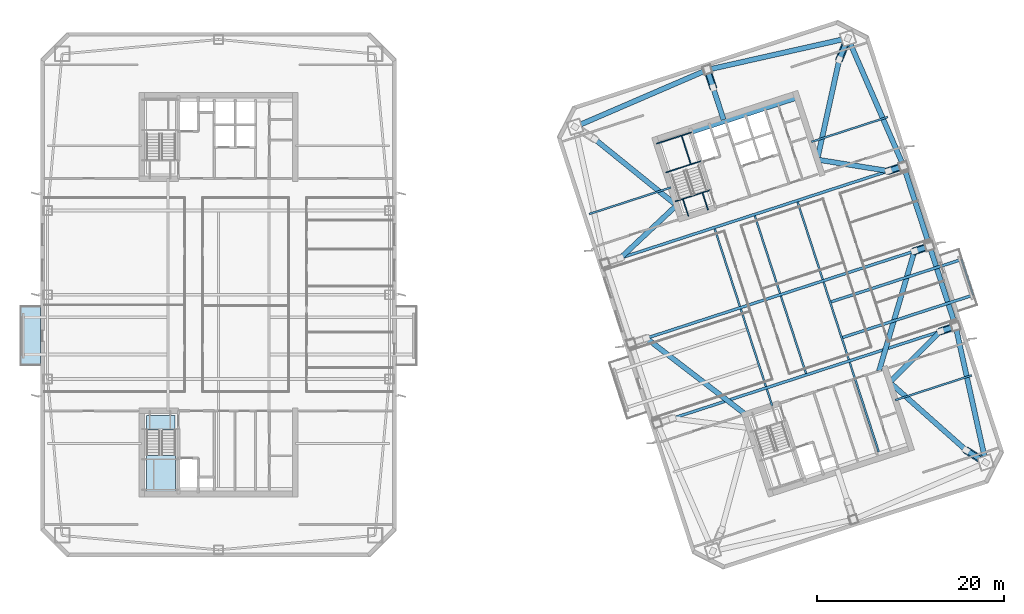
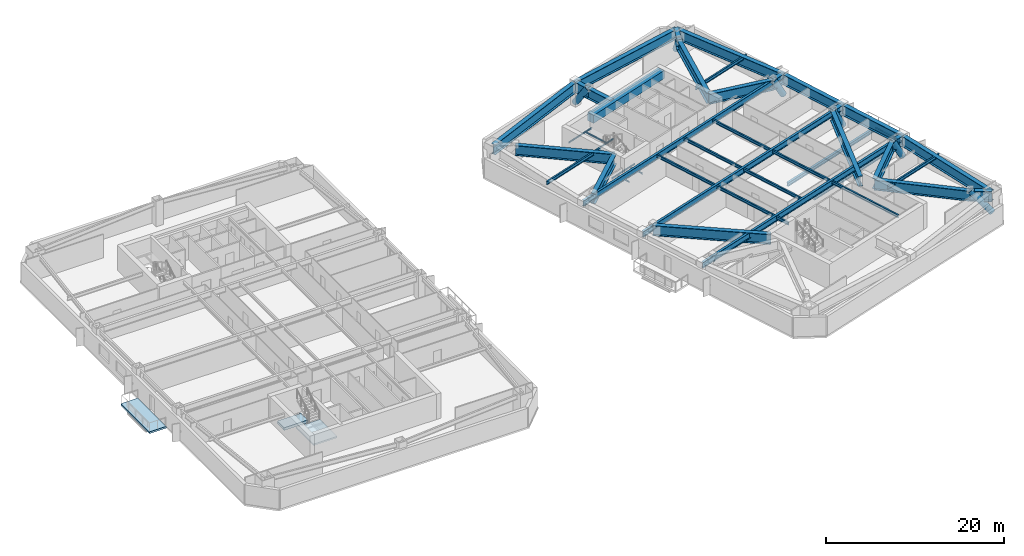
# One storey, part 3 of 17: 45 beams, 6 members, 3 slabs, 1 element without a shape of its own.
"""IFC4 building model written with IfcOpenShell, lengths in metres."""

from ifc_helpers import new_model, si_unit, direction, frame, origin, origin_2d, place, context, subcontext, project, spatial, polyline, rectangle, hollow_circle, i_section, outline, extrude, material, layer, layer_set, material_profile, profile_set, type_object, element, aggregate, save


model = new_model("IFC4")

# Units and contexts
model_context = context("Model", 3, precision=1e-05, world=origin(), true_north=direction((0.0, 1.0)))
body_context = subcontext(model_context, "Body", "Model", "MODEL_VIEW")
ifc_project = project(units=[si_unit("LENGTHUNIT", "METRE"), si_unit("AREAUNIT", "SQUARE_METRE"), si_unit("VOLUMEUNIT", "CUBIC_METRE"), si_unit("PLANEANGLEUNIT", "RADIAN"), si_unit("MASSUNIT", "GRAM", prefix="KILO")], contexts=[model_context])

# Site, building, storey
site_placement = place(None, origin())
site = spatial("IfcSite", under=ifc_project, at=site_placement, CompositionType="ELEMENT")
building_placement = place(site_placement, origin())
building = spatial("IfcBuilding", under=site, at=building_placement, Name="Qiaolan Cultural Towers", CompositionType="ELEMENT")
storey_placement = place(building_placement, frame((0.0, 0.0, 131.10009765625)))
storey = spatial("IfcBuildingStorey", under=building, at=storey_placement, Name="L34", CompositionType="ELEMENT", Elevation=131.10009765625)

# Beams
ifc_material_1 = material(Name="Steel Q420GJB", Category="steel")
ifc_material_profile_1 = material_profile(ifc_material_1, i_section(OverallWidth=0.550048828125, OverallDepth=1.39990234375, WebThickness=0.031982421875, FlangeThickness=0.050048828125, at=origin_2d()), Name="BH1400x550x32x50")
ifc_profile_set_1 = profile_set([ifc_material_profile_1], Name="Steel Q420GJB")
beam_type_1 = type_object("IfcBeamType", Name="BM-BH1400x550x32x50", PredefinedType="BEAM", material=ifc_profile_set_1)
beam_1_placement = place(storey_placement, frame((111.930908203125, 16.080078125, 2.52978515625), z_axis=(-0.848719449852, 0.528843356244, 0.0), x_axis=(-0.528843356244, -0.848719449852, 0.0)))
element("IfcBeam", 1, at=beam_1_placement, inside=storey, type_object=beam_type_1, Name="L34 T2 Setback Transfer Girder MC-SE-A", PredefinedType="BEAM", context=body_context, shape_type="SweptSolid", body=[
    extrude(i_section(OverallWidth=0.550048828125, OverallDepth=1.39990234375, WebThickness=0.031982421875, FlangeThickness=0.050048828125, at=origin_2d()), origin(), (0.0, 0.0, 1.0), 2.4697265625),
])
beam_2_placement = place(storey_placement, frame((109.834716796875, 17.38623046875, 2.52978515625), z_axis=(-0.747666786026, 0.664074074989, 0.0), x_axis=(-0.664074074989, -0.747666786026, 0.0)))
element("IfcBeam", 2, at=beam_2_placement, inside=storey, type_object=beam_type_1, Name="L34 T2 Setback Transfer Girder MC-SE-B", PredefinedType="BEAM", context=body_context, shape_type="SweptSolid", body=[
    extrude(i_section(OverallWidth=0.550048828125, OverallDepth=1.39990234375, WebThickness=0.031982421875, FlangeThickness=0.050048828125, at=origin_2d()), origin(), (0.0, 0.0, 1.0), 10.931884765625),
])
beam_3_placement = place(storey_placement, frame((97.20947265625, 61.388427734375, 2.52978515625), z_axis=(-0.375783111515, -0.926707641654, 0.0), x_axis=(0.926707641654, -0.375783111515, 0.0)))
element("IfcBeam", 3, at=beam_3_placement, inside=storey, type_object=beam_type_1, Name="L34 T2 Setback Transfer Girder MC-NE-A", PredefinedType="BEAM", context=body_context, shape_type="SweptSolid", body=[
    extrude(i_section(OverallWidth=0.550048828125, OverallDepth=1.39990234375, WebThickness=0.031982421875, FlangeThickness=0.050048828125, at=origin_2d()), origin(), (0.0, 0.0, 1.0), 2.47021484375),
])
beam_4_placement = place(storey_placement, frame((96.28125, 59.099365234375, 2.52978515625), z_axis=(-0.214532013847, -0.976716957483, 0.0), x_axis=(0.976716957483, -0.214532013847, 0.0)))
element("IfcBeam", 4, at=beam_4_placement, inside=storey, type_object=beam_type_1, Name="L34 T2 Setback Transfer Girder MC-NE-B", PredefinedType="BEAM", context=body_context, shape_type="SweptSolid", body=[
    extrude(i_section(OverallWidth=0.550048828125, OverallDepth=1.39990234375, WebThickness=0.031982421875, FlangeThickness=0.050048828125, at=origin_2d()), origin(), (0.0, 0.0, 1.0), 10.931884765625),
])
beam_5_placement = place(storey_placement, frame((70.165283203125, 50.61376953125, 2.52978515625), z_axis=(0.777436926746, -0.628960908906, 0.0), x_axis=(0.628960908906, 0.777436926746, 0.0)))
element("IfcBeam", 5, at=beam_5_placement, inside=storey, type_object=beam_type_1, Name="L34 T2 Setback Transfer Girder MC-NW-B", PredefinedType="BEAM", context=body_context, shape_type="SweptSolid", body=[
    extrude(i_section(OverallWidth=0.550048828125, OverallDepth=1.39990234375, WebThickness=0.031982421875, FlangeThickness=0.050048828125, at=origin_2d()), origin(), (0.0, 0.0, 1.0), 11.2470703125),
])
beam_6_placement = place(storey_placement, frame((75.6865234375, 29.349365234375, 2.52978515625), z_axis=(0.792974186546, -0.609255233438, 0.0), x_axis=(0.609255233438, 0.792974186546, 0.0)))
element("IfcBeam", 6, at=beam_6_placement, inside=storey, type_object=beam_type_1, Name="L34 T2 Setback Transfer Girder PC-W2-B", PredefinedType="BEAM", context=body_context, shape_type="SweptSolid", body=[
    extrude(i_section(OverallWidth=0.550048828125, OverallDepth=1.39990234375, WebThickness=0.031982421875, FlangeThickness=0.050048828125, at=origin_2d()), origin(), (0.0, 0.0, 1.0), 13.342041015625),
])
beam_7_placement = place(storey_placement, frame((72.905517578125, 37.90869140625, 2.52978515625), z_axis=(0.729375316416, 0.684113768173, 0.0), x_axis=(-0.684113768173, 0.729375316416, 0.0)))
element("IfcBeam", 7, at=beam_7_placement, inside=storey, type_object=beam_type_1, Name="L34 T2 Setback Transfer Girder PC-W3-B", PredefinedType="BEAM", context=body_context, shape_type="SweptSolid", body=[
    extrude(i_section(OverallWidth=0.550048828125, OverallDepth=1.39990234375, WebThickness=0.031982421875, FlangeThickness=0.050048828125, at=origin_2d()), origin(), (0.0, 0.0, 1.0), 8.231201171875),
])
beam_8_placement = place(storey_placement, frame((108.71142578125, 30.616455078125, 2.52978515625), z_axis=(-0.951096313471, -0.308894484414, 0.0), x_axis=(0.308894484414, -0.951096313471, 0.0)))
element("IfcBeam", 8, at=beam_8_placement, inside=storey, type_object=beam_type_1, Name="L34 T2 Setback Transfer Girder PC-E1-A", PredefinedType="BEAM", context=body_context, shape_type="SweptSolid", body=[
    extrude(i_section(OverallWidth=0.550048828125, OverallDepth=1.39990234375, WebThickness=0.031982421875, FlangeThickness=0.050048828125, at=origin_2d()), origin(), (0.0, 0.0, 1.0), 1.7001953125),
])
beam_9_placement = place(storey_placement, frame((107.094482421875, 30.09130859375, 2.52978515625), z_axis=(-0.706296999552, -0.707915636516, 0.0), x_axis=(0.707915636516, -0.706296999552, 0.0)))
element("IfcBeam", 9, at=beam_9_placement, inside=storey, type_object=beam_type_1, Name="L34 T2 Setback Transfer Girder PC-E1-B", PredefinedType="BEAM", context=body_context, shape_type="SweptSolid", body=[
    extrude(i_section(OverallWidth=0.550048828125, OverallDepth=1.39990234375, WebThickness=0.031982421875, FlangeThickness=0.050048828125, at=origin_2d()), origin(), (0.0, 0.0, 1.0), 7.6923828125),
])
beam_10_placement = place(storey_placement, frame((105.93017578125, 39.176025390625, 2.52978515625), z_axis=(-0.951040401051, -0.309066587596, 0.0), x_axis=(0.309066587596, -0.951040401051, 0.0)))
element("IfcBeam", 10, at=beam_10_placement, inside=storey, type_object=beam_type_1, Name="L34 T2 Setback Transfer Girder PC-E2-A", PredefinedType="BEAM", context=body_context, shape_type="SweptSolid", body=[
    extrude(i_section(OverallWidth=0.550048828125, OverallDepth=1.39990234375, WebThickness=0.031982421875, FlangeThickness=0.050048828125, at=origin_2d()), origin(), (0.0, 0.0, 1.0), 1.699951171875),
])
beam_11_placement = place(storey_placement, frame((104.3134765625, 38.650634765625, 2.52978515625), z_axis=(-0.283415372333, -0.958997250635, 0.0), x_axis=(0.958997250635, -0.283415372333, 0.0)))
element("IfcBeam", 11, at=beam_11_placement, inside=storey, type_object=beam_type_1, Name="L34 T2 Setback Transfer Girder PC-E2-B", PredefinedType="BEAM", context=body_context, shape_type="SweptSolid", body=[
    extrude(i_section(OverallWidth=0.550048828125, OverallDepth=1.39990234375, WebThickness=0.031982421875, FlangeThickness=0.050048828125, at=origin_2d()), origin(), (0.0, 0.0, 1.0), 13.341796875),
])
beam_12_placement = place(storey_placement, frame((103.14892578125, 47.735595703125, 2.52978515625), z_axis=(-0.951040401051, -0.309066587596, 0.0), x_axis=(0.309066587596, -0.951040401051, 0.0)))
element("IfcBeam", 12, at=beam_12_placement, inside=storey, type_object=beam_type_1, Name="L34 T2 Setback Transfer Girder PC-E3-A", PredefinedType="BEAM", context=body_context, shape_type="SweptSolid", body=[
    extrude(i_section(OverallWidth=0.550048828125, OverallDepth=1.39990234375, WebThickness=0.031982421875, FlangeThickness=0.050048828125, at=origin_2d()), origin(), (0.0, 0.0, 1.0), 1.699951171875),
])
beam_13_placement = place(storey_placement, frame((101.5322265625, 47.210205078125, 2.52978515625), z_axis=(-0.987511041532, 0.157549810701, 0.0), x_axis=(-0.157549810701, -0.987511041532, 0.0)))
element("IfcBeam", 13, at=beam_13_placement, inside=storey, type_object=beam_type_1, Name="L34 T2 Setback Transfer Girder PC-E3-B", PredefinedType="BEAM", context=body_context, shape_type="SweptSolid", body=[
    extrude(i_section(OverallWidth=0.550048828125, OverallDepth=1.39990234375, WebThickness=0.031982421875, FlangeThickness=0.050048828125, at=origin_2d()), origin(), (0.0, 0.0, 1.0), 7.692138671875),
])
beam_14_placement = place(storey_placement, frame((82.197265625, 58.01416015625, 2.52978515625), z_axis=(0.309077791808, -0.951036759863, 0.0), x_axis=(0.951036759863, 0.309077791808, 0.0)))
element("IfcBeam", 14, at=beam_14_placement, inside=storey, type_object=beam_type_1, Name="L34 T2 Setback Transfer Girder PC-N0-A", PredefinedType="BEAM", context=body_context, shape_type="SweptSolid", body=[
    extrude(i_section(OverallWidth=0.550048828125, OverallDepth=1.39990234375, WebThickness=0.031982421875, FlangeThickness=0.050048828125, at=origin_2d()), origin(), (0.0, 0.0, 1.0), 2.0),
])
beam_15_placement = place(storey_placement, frame((82.8154296875, 56.112060546875, 2.52978515625), z_axis=(0.308975661068, -0.951069945308, 0.0), x_axis=(0.951069945308, 0.308975661068, 0.0)))
element("IfcBeam", 15, at=beam_15_placement, inside=storey, type_object=beam_type_1, Name="L34 T2 Setback Transfer Girder PC-N0-B", PredefinedType="BEAM", context=body_context, shape_type="SweptSolid", body=[
    extrude(i_section(OverallWidth=0.550048828125, OverallDepth=1.39990234375, WebThickness=0.031982421875, FlangeThickness=0.050048828125, at=origin_2d()), origin(), (0.0, 0.0, 1.0), 3.599853515625),
])
beam_16_placement = place(storey_placement, frame((111.930908203125, 16.080078125, 2.489990234375), z_axis=(-0.216237644833, 0.976340760676, 0.0), x_axis=(-0.976340760676, -0.216237644833, 0.0)))
element("IfcBeam", 16, at=beam_16_placement, inside=storey, type_object=beam_type_1, Name="L34 T2 Perimeter Spandrel Beam 3", PredefinedType="BEAM", context=body_context, shape_type="SweptSolid", body=[
    extrude(i_section(OverallWidth=0.550048828125, OverallDepth=1.39990234375, WebThickness=0.031982421875, FlangeThickness=0.050048828125, at=origin_2d()), origin(), (0.0, 0.0, 1.0), 14.888671875),
])
for number, where, z_axis, x_axis, name in (
    (17, (108.71142578125, 30.616455078125, 2.489990234375), (-0.309024734286, 0.951054001411, 0.0), (-0.951054001411, -0.309024734286, 0.0), "L34 T2 Perimeter Spandrel Beam 4"),
    (18, (105.93017578125, 39.176025390625, 2.489990234375), (-0.309024734286, 0.951054001411, 0.0), (-0.951054001411, -0.309024734286, 0.0), "L34 T2 Perimeter Spandrel Beam 5"),
):
    element("IfcBeam", number, at=place(storey_placement, frame(where, z_axis=z_axis, x_axis=x_axis)), inside=storey, type_object=beam_type_1, Name=name, PredefinedType="BEAM", context=body_context, shape_type="SweptSolid", body=[
        extrude(i_section(OverallWidth=0.550048828125, OverallDepth=1.39990234375, WebThickness=0.031982421875, FlangeThickness=0.050048828125, at=origin_2d()), origin(), (0.0, 0.0, 1.0), 9.0),
    ])
beam_17_placement = place(storey_placement, frame((103.14892578125, 47.735595703125, 2.489990234375), z_axis=(-0.398920370799, 0.916985571185, 0.0), x_axis=(-0.916985571185, -0.398920370799, 0.0)))
element("IfcBeam", 19, at=beam_17_placement, inside=storey, type_object=beam_type_1, Name="L34 T2 Perimeter Spandrel Beam 6", PredefinedType="BEAM", context=body_context, shape_type="SweptSolid", body=[
    extrude(i_section(OverallWidth=0.550048828125, OverallDepth=1.39990234375, WebThickness=0.031982421875, FlangeThickness=0.050048828125, at=origin_2d()), origin(), (0.0, 0.0, 1.0), 14.888916015625),
])
beam_18_placement = place(storey_placement, frame((97.20947265625, 61.388427734375, 2.489990234375), z_axis=(-0.975658154374, -0.219296980836, 0.0), x_axis=(0.219296980836, -0.975658154374, 0.0)))
element("IfcBeam", 20, at=beam_18_placement, inside=storey, type_object=beam_type_1, Name="L34 T2 Perimeter Spandrel Beam 7", PredefinedType="BEAM", context=body_context, shape_type="SweptSolid", body=[
    extrude(i_section(OverallWidth=0.550048828125, OverallDepth=1.39990234375, WebThickness=0.031982421875, FlangeThickness=0.050048828125, at=origin_2d()), origin(), (0.0, 0.0, 1.0), 15.38671875),
])
beam_19_placement = place(storey_placement, frame((82.197265625, 58.01416015625, 2.489990234375), z_axis=(-0.918217549337, -0.396076422032, 0.0), x_axis=(0.396076422032, -0.918217549337, 0.0)))
element("IfcBeam", 21, at=beam_19_placement, inside=storey, type_object=beam_type_1, Name="L34 T2 Perimeter Spandrel Beam 8", PredefinedType="BEAM", context=body_context, shape_type="SweptSolid", body=[
    extrude(i_section(OverallWidth=0.550048828125, OverallDepth=1.39990234375, WebThickness=0.031982421875, FlangeThickness=0.050048828125, at=origin_2d()), origin(), (0.0, 0.0, 1.0), 15.386474609375),
])
ifc_material_2 = material(Name="Steel Q355B", Category="steel")
ifc_material_profile_2 = material_profile(ifc_material_2, i_section(OverallWidth=0.300048828125, OverallDepth=0.488037109375, WebThickness=0.010986328125, FlangeThickness=0.01806640625, at=origin_2d()), Name="HM488x300x11x18")
ifc_profile_set_2 = profile_set([ifc_material_profile_2], Name="Steel Q355B")
beam_type_2 = type_object("IfcBeamType", Name="BM-HM488x300x11x18", PredefinedType="BEAM", material=ifc_profile_set_2)
for number, where, z_axis, x_axis, name in (
    (22, (96.542724609375, 29.396484375, -0.524169921875), (0.951054379921, 0.309023569382, 0.0), (-0.309023569382, 0.951054379921, 0.0), "L34 T2 Tree Balcony Back-Spanned Bracket Beam"),
    (23, (95.306640625, 33.20068359375, -0.524169921875), (0.951054379921, 0.309023569382, 0.0), (-0.309023569382, 0.951054379921, 0.0), "L34 T2 Tree Balcony Back-Spanned Bracket Beam"),
):
    element("IfcBeam", number, at=place(storey_placement, frame(where, z_axis=z_axis, x_axis=x_axis)), inside=storey, type_object=beam_type_2, Name=name, PredefinedType="BEAM", context=body_context, shape_type="SweptSolid", body=[
        extrude(i_section(OverallWidth=0.300048828125, OverallDepth=0.488037109375, WebThickness=0.010986328125, FlangeThickness=0.01806640625, at=origin_2d()), origin(), (0.0, 0.0, 1.0), 14.75),
    ])
ifc_material_3 = material(Name="Steel Q355B", Category="steel")
ifc_material_profile_3 = material_profile(ifc_material_3, i_section(OverallWidth=0.300048828125, OverallDepth=0.800048828125, WebThickness=0.013916015625, FlangeThickness=0.02587890625, at=origin_2d()), Name="HN800x300x14x26")
ifc_profile_set_3 = profile_set([ifc_material_profile_3], Name="Steel Q355B")
beam_type_3 = type_object("IfcBeamType", Name="BM-HN800x300x14x26", PredefinedType="BEAM", material=ifc_profile_set_3)
for number, where, z_axis, x_axis, name in (
    (24, (76.85107421875, 20.264404296875, 2.789794921875), (0.951056559899, 0.309016860175, 0.0), (-0.309016860175, 0.951056559899, 0.0), "L34 T2 Primary Transverse Girder V1"),
    (25, (74.06982421875, 28.823974609375, 2.789794921875), (0.951056559899, 0.309016860175, 0.0), (-0.309016860175, 0.951056559899, 0.0), "L34 T2 Primary Transverse Girder V2"),
    (26, (71.28857421875, 37.383544921875, 2.789794921875), (0.951056559899, 0.309016860175, 0.0), (-0.309016860175, 0.951056559899, 0.0), "L34 T2 Primary Transverse Girder V3"),
):
    element("IfcBeam", number, at=place(storey_placement, frame(where, z_axis=z_axis, x_axis=x_axis)), inside=storey, type_object=beam_type_3, Name=name, PredefinedType="BEAM", context=body_context, shape_type="SweptSolid", body=[
        extrude(i_section(OverallWidth=0.300048828125, OverallDepth=0.800048828125, WebThickness=0.013916015625, FlangeThickness=0.02587890625, at=origin_2d()), origin(), (0.0, 0.0, 1.0), 33.5),
    ])
ifc_material_4 = material(Name="Steel Q355B", Category="steel")
ifc_material_profile_4 = material_profile(ifc_material_4, i_section(OverallWidth=0.175048828125, OverallDepth=0.35009765625, WebThickness=0.007080078125, FlangeThickness=0.010986328125, at=origin_2d()), Name="HN350x175x7x11")
ifc_profile_set_4 = profile_set([ifc_material_profile_4], Name="Steel Q355B")
beam_type_4 = type_object("IfcBeamType", Name="BM-JST-HN350x175x7x11", PredefinedType="JOIST", material=ifc_profile_set_4)
beam_20_placement = place(storey_placement, frame((110.57080078125, 33.95458984375, -0.524169921875), z_axis=(-0.309022586479, 0.951054699292, 0.0), x_axis=(-0.951054699292, -0.309022586479, 0.0)))
element("IfcBeam", 27, at=beam_20_placement, inside=storey, type_object=beam_type_4, Name="L34 T2 Tree Balcony Outer Edge Beam", PredefinedType="JOIST", context=body_context, shape_type="SweptSolid", body=[
    extrude(i_section(OverallWidth=0.175048828125, OverallDepth=0.35009765625, WebThickness=0.007080078125, FlangeThickness=0.010986328125, at=origin_2d()), origin(), (0.0, 0.0, 1.0), 4.0),
])
ifc_material_5 = material(Name="Steel Q355B", Category="steel")
ifc_material_profile_5 = material_profile(ifc_material_5, i_section(OverallWidth=0.199951171875, OverallDepth=0.39990234375, WebThickness=0.008056640625, FlangeThickness=0.012939453125, at=origin_2d()), Name="HN400x200x8x13")
ifc_profile_set_5 = profile_set([ifc_material_profile_5], Name="Steel Q355B")
beam_type_5 = type_object("IfcBeamType", Name="BM-JST-HN400x200x8x13", PredefinedType="JOIST", material=ifc_profile_set_5)
beam_21_placement = place(storey_placement, frame((89.119384765625, 22.147705078125, 2.989990234375), z_axis=(-0.308933885266, 0.951083516067, 0.0), x_axis=(-0.951083516067, -0.308933885266, 0.0)))
element("IfcBeam", 28, at=beam_21_placement, inside=storey, type_object=beam_type_5, Name="L34 T2 Secondary Floor Joist U1-1", PredefinedType="JOIST", context=body_context, shape_type="SweptSolid", body=[
    extrude(i_section(OverallWidth=0.199951171875, OverallDepth=0.39990234375, WebThickness=0.008056640625, FlangeThickness=0.012939453125, at=origin_2d()), origin(), (0.0, 0.0, 1.0), 1.85009765625),
])
for number, where, z_axis, x_axis, name in (
    (29, (88.455078125, 24.192626953125, 2.989990234375), (-0.309020714809, 0.951055307445, 0.0), (-0.951055307445, -0.309020714809, 0.0), "L34 T2 Secondary Floor Joist U1-2"),
    (30, (85.673828125, 32.752197265625, 2.989990234375), (-0.309020714809, 0.951055307445, 0.0), (-0.951055307445, -0.309020714809, 0.0), "L34 T2 Secondary Floor Joist U1-3"),
    (31, (92.73486328125, 25.583251953125, 2.989990234375), (-0.309020714809, 0.951055307445, 0.0), (-0.951055307445, -0.309020714809, 0.0), "L34 T2 Secondary Floor Joist U2-2"),
    (32, (89.95361328125, 34.142578125, 2.989990234375), (-0.309020714809, 0.951055307445, 0.0), (-0.951055307445, -0.309020714809, 0.0), "L34 T2 Secondary Floor Joist U2-3"),
):
    element("IfcBeam", number, at=place(storey_placement, frame(where, z_axis=z_axis, x_axis=x_axis)), inside=storey, type_object=beam_type_5, Name=name, PredefinedType="JOIST", context=body_context, shape_type="SweptSolid", body=[
        extrude(i_section(OverallWidth=0.199951171875, OverallDepth=0.39990234375, WebThickness=0.008056640625, FlangeThickness=0.012939453125, at=origin_2d()), origin(), (0.0, 0.0, 1.0), 8.699951171875),
    ])
beam_22_placement = place(storey_placement, frame((100.498291015625, 17.222900390625, 2.989990234375), z_axis=(-0.309025649293, 0.951053704098, 0.0), x_axis=(-0.951053704098, -0.309025649293, 0.0)))
element("IfcBeam", 33, at=beam_22_placement, inside=storey, type_object=beam_type_5, Name="L34 T2 Secondary Floor Joist U3-1", PredefinedType="JOIST", context=body_context, shape_type="SweptSolid", body=[
    extrude(i_section(OverallWidth=0.199951171875, OverallDepth=0.39990234375, WebThickness=0.008056640625, FlangeThickness=0.012939453125, at=origin_2d()), origin(), (0.0, 0.0, 1.0), 10.050048828125),
])
for number, where, z_axis, x_axis, name in (
    (34, (97.2998046875, 27.06640625, 2.989990234375), (-0.309020714809, 0.951055307445, 0.0), (-0.951055307445, -0.309020714809, 0.0), "L34 T2 Secondary Floor Joist U3-2"),
    (35, (94.518798828125, 35.6259765625, 2.989990234375), (-0.309020714809, 0.951055307445, 0.0), (-0.951055307445, -0.309020714809, 0.0), "L34 T2 Secondary Floor Joist U3-3"),
):
    element("IfcBeam", number, at=place(storey_placement, frame(where, z_axis=z_axis, x_axis=x_axis)), inside=storey, type_object=beam_type_5, Name=name, PredefinedType="JOIST", context=body_context, shape_type="SweptSolid", body=[
        extrude(i_section(OverallWidth=0.199951171875, OverallDepth=0.39990234375, WebThickness=0.008056640625, FlangeThickness=0.012939453125, at=origin_2d()), origin(), (0.0, 0.0, 1.0), 8.699951171875),
    ])
ifc_material_6 = material(Name="Steel Q355B", Category="steel")
ifc_material_profile_6 = material_profile(ifc_material_6, i_section(OverallWidth=0.199951171875, OverallDepth=0.449951171875, WebThickness=0.009033203125, FlangeThickness=0.013916015625, at=origin_2d()), Name="HN450x200x9x14")
ifc_profile_set_6 = profile_set([ifc_material_profile_6], Name="Steel Q355B")
beam_type_6 = type_object("IfcBeamType", Name="BM-LNT-HN450x200x9x14", PredefinedType="LINTEL", material=ifc_profile_set_6)
beam_23_placement = place(storey_placement, frame((78.291259765625, 45.44189453125, 2.96484375), z_axis=(-0.951052106475, -0.309030566076, 0.0), x_axis=(0.309030566076, -0.951052106475, 0.0)))
element("IfcBeam", 36, at=beam_23_placement, inside=storey, type_object=beam_type_6, Name="L34 T2 Core Flank Tie Lintel WN", PredefinedType="LINTEL", context=body_context, shape_type="SweptSolid", body=[
    extrude(i_section(OverallWidth=0.199951171875, OverallDepth=0.449951171875, WebThickness=0.009033203125, FlangeThickness=0.013916015625, at=origin_2d()), origin(), (0.0, 0.0, 1.0), 9.14990234375),
])
for number, where, z_axis, x_axis, name in (
    (37, (102.279296875, 22.74365234375, 2.96484375), (0.951057358187, 0.309014403287, 0.0), (-0.309014403287, 0.951057358187, 0.0), "L34 T2 Core Flank Tie Lintel ES"),
    (38, (93.31787109375, 50.32421875, 2.96484375), (0.951057358187, 0.309014403287, 0.0), (-0.309014403287, 0.951057358187, 0.0), "L34 T2 Core Flank Tie Lintel EN"),
):
    element("IfcBeam", number, at=place(storey_placement, frame(where, z_axis=z_axis, x_axis=x_axis)), inside=storey, type_object=beam_type_6, Name=name, PredefinedType="LINTEL", context=body_context, shape_type="SweptSolid", body=[
        extrude(i_section(OverallWidth=0.199951171875, OverallDepth=0.449951171875, WebThickness=0.009033203125, FlangeThickness=0.013916015625, at=origin_2d()), origin(), (0.0, 0.0, 1.0), 8.550048828125),
    ])
ifc_material_7 = material(Name="Concrete C50", Category="concrete")
ifc_material_profile_7 = material_profile(ifc_material_7, rectangle(XDim=0.89990234375, YDim=1.10009765625, at=origin_2d()), Name="RC900x1100")
ifc_profile_set_7 = profile_set([ifc_material_profile_7], Name="Concrete C50")
beam_type_7 = type_object("IfcBeamType", Name="BM-RC900x1100", PredefinedType="BEAM", material=ifc_profile_set_7)
beam_24_placement = place(storey_placement, frame((80.427978515625, 51.551025390625, 2.639892578125), z_axis=(0.951056266386, 0.309017763514, 0.0), x_axis=(-0.309017763514, 0.951056266386, 0.0)))
element("IfcBeam", 39, at=beam_24_placement, inside=storey, type_object=beam_type_7, Name="L34 T2 Core Header Girder N", PredefinedType="BEAM", context=body_context, shape_type="SweptSolid", body=[
    extrude(rectangle(XDim=0.89990234375, YDim=1.10009765625, at=origin_2d()), origin(), (0.0, 0.0, 1.0), 11.880126953125),
])
ifc_material_8 = material(Name="Steel Q355B", Category="steel")
ifc_material_profile_8 = material_profile(ifc_material_8, i_section(OverallWidth=0.10009765625, OverallDepth=0.199951171875, WebThickness=0.005615234375, FlangeThickness=0.008056640625, at=origin_2d()), Name="HN200x100x5.5x8")
ifc_profile_set_8 = profile_set([ifc_material_profile_8], Name="Steel Q355B")
beam_type_8 = type_object("IfcBeamType", Name="BM-STTRIM-200", PredefinedType="BEAM", material=ifc_profile_set_8)
beam_25_placement = place(storey_placement, frame((78.773193359375, 43.958251953125, -0.460205078125), z_axis=(0.951072048947, 0.3089691857, 0.0), x_axis=(-0.3089691857, 0.951072048947, 0.0)))
element("IfcBeam", 40, at=beam_25_placement, inside=storey, type_object=beam_type_8, Name="L34 ST-E2 Floor Landing Header Beam", PredefinedType="BEAM", context=body_context, shape_type="SweptSolid", body=[
    extrude(i_section(OverallWidth=0.10009765625, OverallDepth=0.199951171875, WebThickness=0.005615234375, FlangeThickness=0.008056640625, at=origin_2d()), origin(), (0.0, 0.0, 1.0), 3.920166015625),
])
for number, where, z_axis, x_axis, name in (
    (41, (80.18115234375, 42.375732421875, -0.460205078125), (-0.308969394428, 0.951071981138, 0.0), (-0.951071981138, -0.308969394428, 0.0), "L34 ST-E2 Floor Landing Stringer 1"),
    (42, (82.2734375, 43.0556640625, -0.460205078125), (-0.308969394428, 0.951071981138, 0.0), (-0.951071981138, -0.308969394428, 0.0), "L34 ST-E2 Floor Landing Stringer 2"),
):
    element("IfcBeam", number, at=place(storey_placement, frame(where, z_axis=z_axis, x_axis=x_axis)), inside=storey, type_object=beam_type_8, Name=name, PredefinedType="BEAM", context=body_context, shape_type="SweptSolid", body=[
        extrude(i_section(OverallWidth=0.10009765625, OverallDepth=0.199951171875, WebThickness=0.005615234375, FlangeThickness=0.008056640625, at=origin_2d()), origin(), (0.0, 0.0, 1.0), 1.93994140625),
    ])
for number, where, z_axis, x_axis, name in (
    (43, (77.769287109375, 47.0478515625, 1.4248046875), (0.951053746643, 0.309025518358, 0.0), (-0.309025518358, 0.951053746643, 0.0), "L34 ST-E2 Stair Landing Support Beam 1-1"),
    (44, (76.770751953125, 50.12109375, 1.4248046875), (0.951072048947, 0.3089691857, 0.0), (-0.3089691857, 0.951072048947, 0.0), "L34 ST-E2 Stair Landing Support Beam 1-2"),
):
    element("IfcBeam", number, at=place(storey_placement, frame(where, z_axis=z_axis, x_axis=x_axis)), inside=storey, type_object=beam_type_8, Name=name, PredefinedType="BEAM", context=body_context, shape_type="SweptSolid", body=[
        extrude(i_section(OverallWidth=0.10009765625, OverallDepth=0.199951171875, WebThickness=0.005615234375, FlangeThickness=0.008056640625, at=origin_2d()), origin(), (0.0, 0.0, 1.0), 3.920166015625),
    ])
beam_26_placement = place(storey_placement, frame((80.44189453125, 47.916259765625, 1.4248046875), z_axis=(-0.309033108495, 0.951051280349, 0.0), x_axis=(-0.951051280349, -0.309033108495, 0.0)))
element("IfcBeam", 45, at=beam_26_placement, inside=storey, type_object=beam_type_8, Name="L34 ST-E2 Stair Landing Trimmer 1", PredefinedType="BEAM", context=body_context, shape_type="SweptSolid", body=[
    extrude(i_section(OverallWidth=0.10009765625, OverallDepth=0.199951171875, WebThickness=0.005615234375, FlangeThickness=0.008056640625, at=origin_2d()), origin(), (0.0, 0.0, 1.0), 3.231201171875),
])

# Members
ifc_material_9 = material(Name="Steel Q390GJB", Category="steel")
ifc_material_profile_9 = material_profile(ifc_material_9, hollow_circle(Radius=0.39990234375, WallThickness=0.0400390625, at=origin_2d()), Name="CHS800x40")
ifc_profile_set_9 = profile_set([ifc_material_profile_9], Name="Steel Q390GJB")
member_type = type_object("IfcMemberType", Name="MBR-BRC-CHS800x40", PredefinedType="BRACE", material=ifc_profile_set_9)
member_1_placement = place(storey_placement, frame((111.930908203125, 16.080078125, 0.2998046875), z_axis=(-0.546990058958, 0.340833544773, 0.764613869975), x_axis=(-0.528843356244, -0.848719449852, 0.0)))
element("IfcMember", 46, at=member_1_placement, inside=storey, type_object=member_type, Name="L34 T2 Setback Transfer Raker Strut MC-SE", PredefinedType="BRACE", context=body_context, shape_type="SweptSolid", body=[
    extrude(hollow_circle(Radius=0.39990234375, WallThickness=0.0400390625, at=origin_2d()), origin(), (0.0, 0.0, 1.0), 3.832275390625),
])
member_2_placement = place(storey_placement, frame((97.20947265625, 61.388427734375, 0.2998046875), z_axis=(-0.242203642967, -0.597291256301, 0.764578675141), x_axis=(0.926707641654, -0.375783111515, 0.0)))
element("IfcMember", 47, at=member_2_placement, inside=storey, type_object=member_type, Name="L34 T2 Setback Transfer Raker Strut MC-NE", PredefinedType="BRACE", context=body_context, shape_type="SweptSolid", body=[
    extrude(hollow_circle(Radius=0.39990234375, WallThickness=0.0400390625, at=origin_2d()), origin(), (0.0, 0.0, 1.0), 3.83251953125),
])
for number, where, z_axis, x_axis, name in (
    (48, (108.71142578125, 30.616455078125, 0.2998046875), (-0.477304439179, -0.155017642862, 0.864956647897), (0.308894484414, -0.951096313471, 0.0), "L34 T2 Setback Transfer Raker Strut PC-E1"),
    (49, (105.93017578125, 39.176025390625, 0.2998046875), (-0.477243453801, -0.155093312078, 0.864976733995), (0.309066587596, -0.951040401051, 0.0), "L34 T2 Setback Transfer Raker Strut PC-E2"),
    (50, (103.14892578125, 47.735595703125, 0.2998046875), (-0.477243453801, -0.155093312078, 0.864976733995), (0.309066587596, -0.951040401051, 0.0), "L34 T2 Setback Transfer Raker Strut PC-E3"),
):
    element("IfcMember", number, at=place(storey_placement, frame(where, z_axis=z_axis, x_axis=x_axis)), inside=storey, type_object=member_type, Name=name, PredefinedType="BRACE", context=body_context, shape_type="SweptSolid", body=[
        extrude(hollow_circle(Radius=0.39990234375, WallThickness=0.0400390625, at=origin_2d()), origin(), (0.0, 0.0, 1.0), 3.3876953125),
    ])
member_3_placement = place(storey_placement, frame((82.197265625, 58.01416015625, 0.2998046875), z_axis=(0.174244549646, -0.536152956672, 0.825941186751), x_axis=(0.951036759863, 0.309077791808, 0.0)))
element("IfcMember", 51, at=member_3_placement, inside=storey, type_object=member_type, Name="L34 T2 Setback Transfer Raker Strut PC-N0", PredefinedType="BRACE", context=body_context, shape_type="SweptSolid", body=[
    extrude(hollow_circle(Radius=0.39990234375, WallThickness=0.0400390625, at=origin_2d()), origin(), (0.0, 0.0, 1.0), 3.547607421875),
])

# Slab
ifc_material_10 = material(Name="Concrete C45", Category="concrete")
ifc_layer_1 = layer(ifc_material_10, 0.239990234375)
ifc_layer_set_1 = layer_set([ifc_layer_1], Name="Concrete C45")
slab_type_1 = type_object("IfcSlabType", Name="SL-BAL-240", PredefinedType="FLOOR", material=ifc_layer_set_1)
slab_1_placement = place(storey_placement, frame((0.0, 0.0, -0.239990234375)))
element("IfcSlab", 52, at=slab_1_placement, inside=storey, type_object=slab_type_1, Name="L34 T1 Planted Tree Balcony W", PredefinedType="FLOOR", context=body_context, shape_type="SweptSolid", body=[
    extrude(outline(polyline([(8.800048828125, 26.39990234375), (11.0, 26.39990234375), (11.0, 32.800048828125), (8.800048828125, 32.800048828125), (8.800048828125, 26.39990234375)])), origin(), (0.0, 0.0, 1.0), 0.239990234375),
])

# Stair, slab
ifc_material_11 = material(Name="Concrete C45", Category="concrete")
stair_type = type_object("IfcStairType", Name="STR-CORE-1500", PredefinedType="HALF_TURN_STAIR", material=ifc_material_11)
stair_placement = place(storey_placement, origin())
stair = element("IfcStair", 53, at=stair_placement, inside=storey, type_object=stair_type, Name="L34 Smokeproof Exit Stair ST-W1", PredefinedType="HALF_TURN_STAIR")
ifc_material_12 = material(Name="Concrete C45", Category="concrete")
ifc_layer_2 = layer(ifc_material_12, 0.199951171875)
ifc_layer_set_2 = layer_set([ifc_layer_2], Name="Concrete C45")
slab_type_2 = type_object("IfcSlabType", Name="SL-STAIR-LAND", PredefinedType="LANDING", material=ifc_layer_set_2)
slab_2_placement = place(storey_placement, frame((0.0, 0.0, 1.52490234375)))
slab_2 = element("IfcSlab", 54, at=slab_2_placement, type_object=slab_type_2, Name="ST-W1 landing 1", PredefinedType="LANDING", context=body_context, shape_type="SweptSolid", body=[
    extrude(outline(polyline([(22.300048828125, 16.851318359375), (22.300048828125, 13.0), (25.3798828125, 13.0), (25.3798828125, 16.851318359375), (22.300048828125, 16.851318359375)])), origin(), (0.0, 0.0, 1.0), 0.199951171875),
])
aggregate(stair, [slab_2])

# Slab
ifc_material_13 = material(Name="Concrete C40", Category="concrete")
ifc_layer_3 = layer(ifc_material_13, 0.360107421875)
ifc_layer_set_3 = layer_set([ifc_layer_3], Name="Concrete C40")
slab_type_3 = type_object("IfcSlabType", Name="SL-STFLR-360", PredefinedType="LANDING", material=ifc_layer_set_3)
slab_3_placement = place(storey_placement, frame((0.0, 0.0, -0.360107421875)))
element("IfcSlab", 55, at=slab_3_placement, inside=storey, type_object=slab_type_3, Name="L34 ST-W1 Stair Floor Landing Slab", PredefinedType="LANDING", context=body_context, shape_type="SweptSolid", body=[
    extrude(outline(polyline([(22.302001953125, 21.097900390625), (22.302001953125, 19.548583984375), (25.3779296875, 19.548583984375), (25.3779296875, 21.097900390625), (22.302001953125, 21.097900390625)])), origin(), (0.0, 0.0, 1.0), 0.360107421875),
])

save(model, "model.ifc")
